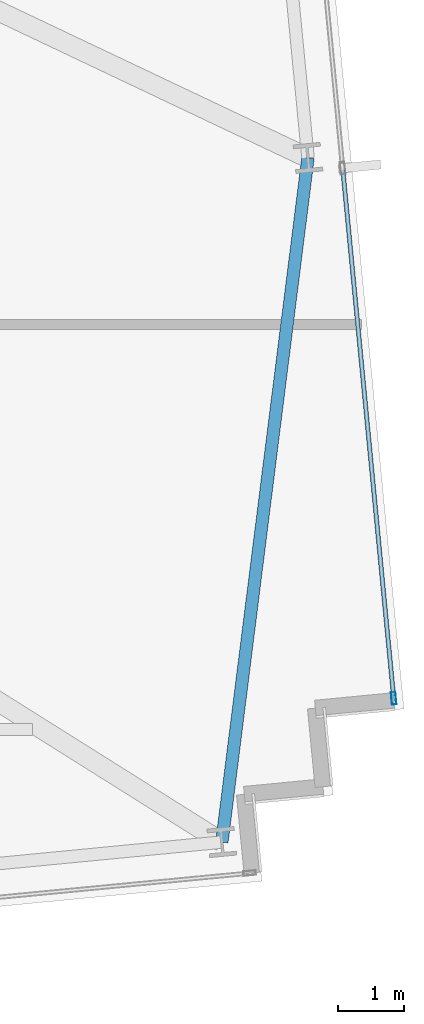
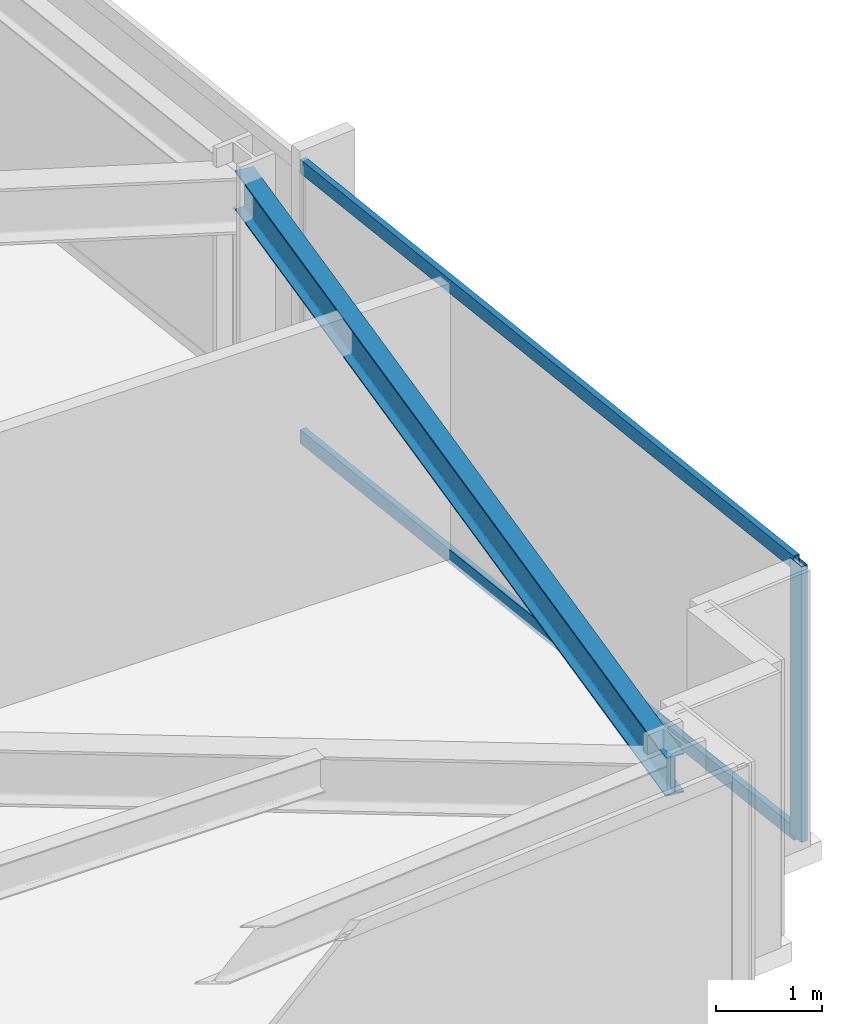
# One storey, part 14 of 32: 3 members, 1 beam, 1 element without a shape of its own.
"""IFC4 building model written with IfcOpenShell, lengths in metres."""

from ifc_helpers import new_model, si_unit, direction, frame, origin, origin_2d, place, context, subcontext, project, spatial, hollow_rectangle, i_section, extrude, material, material_profile, profile_set, type_object, element, aggregate, save


model = new_model("IFC4")

# Units and contexts
model_context = context("Model", 3, precision=1e-05, world=origin(), true_north=direction((0.0, 1.0)))
body_context = subcontext(model_context, "Body", "Model", "MODEL_VIEW")
ifc_project = project(units=[si_unit("LENGTHUNIT", "METRE"), si_unit("AREAUNIT", "SQUARE_METRE"), si_unit("VOLUMEUNIT", "CUBIC_METRE"), si_unit("PLANEANGLEUNIT", "RADIAN"), si_unit("MASSUNIT", "GRAM", prefix="KILO")], contexts=[model_context])

# Site, building, storey
site_placement = place(None, origin())
site = spatial("IfcSite", under=ifc_project, at=site_placement, CompositionType="ELEMENT")
building_placement = place(site_placement, origin())
building = spatial("IfcBuilding", under=site, at=building_placement, Name="Yelkora Congress Tower", CompositionType="ELEMENT")
storey_placement = place(building_placement, frame((0.0, 0.0, 96.5)))
storey = spatial("IfcBuildingStorey", under=building, at=storey_placement, Name="L25", CompositionType="ELEMENT", Elevation=96.5)

# Beam
ifc_material_1 = material(Name="Steel S355J2", Category="steel")
ifc_material_profile_1 = material_profile(ifc_material_1, i_section(OverallWidth=0.18994140625, OverallDepth=0.449951171875, WebThickness=0.009521484375, FlangeThickness=0.0146484375, FilletRadius=0.02099609375, at=origin_2d()), Name="IPE 450")
ifc_profile_set_1 = profile_set([ifc_material_profile_1], Name="Steel S355J2")
beam_type = type_object("IfcBeamType", Name="BM-SPAN-IPE450", PredefinedType="SPANDREL", material=ifc_profile_set_1)
beam_placement = place(storey_placement, frame((74.73193359375, 14.43505859375, 2.955078125), z_axis=(0.124929198684, 0.99216565921, 0.0), x_axis=(-0.99216565921, 0.124929198684, 0.0)))
element("IfcBeam", 1, at=beam_placement, inside=storey, type_object=beam_type, Name="L25 Perimeter Beam 10", PredefinedType="SPANDREL", context=body_context, shape_type="SweptSolid", body=[
    extrude(i_section(OverallWidth=0.18994140625, OverallDepth=0.449951171875, WebThickness=0.009521484375, FlangeThickness=0.0146484375, FilletRadius=0.02099609375, at=origin_2d()), origin(), (0.0, 0.0, 1.0), 10.48046875),
])

# Curtain wall, members
ifc_material_2 = material(Name="Anodised aluminium and insulated glass", Category="aluminium")
curtain_wall_type = type_object("IfcCurtainWallType", Name="CW-SYS-B2", PredefinedType="NOTDEFINED", material=ifc_material_2)
curtain_wall_placement = place(storey_placement, origin())
curtain_wall = element("IfcCurtainWall", 2, at=curtain_wall_placement, inside=storey, type_object=curtain_wall_type, Name="L25 Unitised Curtain Wall 15", PredefinedType="NOTDEFINED")
ifc_material_3 = material(Name="Anodised aluminium 6063-T6", Category="aluminium")
ifc_material_profile_2 = material_profile(ifc_material_3, hollow_rectangle(XDim=0.070068359375, YDim=0.18994140625, WallThickness=0.00390625, at=origin_2d()), Name="ALU 70x190x4")
ifc_profile_set_2 = profile_set([ifc_material_profile_2], Name="Anodised aluminium 6063-T6")
member_type_1 = type_object("IfcMemberType", Name="MEM-ML-B2", PredefinedType="MULLION", material=ifc_profile_set_2)
member_1_placement = place(storey_placement, frame((77.34423828125, 16.62060546875, 0.0), z_axis=(0.0, 0.0, 1.0), x_axis=(0.995396507508, 0.095842541913, 0.0)))
member_1 = element("IfcMember", 3, at=member_1_placement, type_object=member_type_1, Name="CW-B2 mullion 5", PredefinedType="MULLION", context=body_context, shape_type="SweptSolid", body=[
    extrude(hollow_rectangle(XDim=0.070068359375, YDim=0.18994140625, WallThickness=0.00390625, at=origin_2d()), origin(), (0.0, 0.0, 1.0), 3.179931640625),
])
ifc_material_profile_3 = material_profile(ifc_material_3, hollow_rectangle(XDim=0.06494140625, YDim=0.159912109375, WallThickness=0.00390625, at=origin_2d()), Name="ALU 65x160x4")
ifc_profile_set_3 = profile_set([ifc_material_profile_3], Name="Anodised aluminium 6063-T6")
member_type_2 = type_object("IfcMemberType", Name="MEM-TR-B2", PredefinedType="USERDEFINED", material=ifc_profile_set_3)
member_2_placement = place(storey_placement, frame((76.57177734375, 24.6435546875, 0.032470703125), z_axis=(0.095858482834, -0.995394972495, 0.0), x_axis=(0.995394972495, 0.095858482834, 0.0)))
member_2 = element("IfcMember", 4, at=member_2_placement, type_object=member_type_2, Name="CW-B2 transom 4.1", ObjectType="TRANSOM", PredefinedType="USERDEFINED", context=body_context, shape_type="SweptSolid", body=[
    extrude(hollow_rectangle(XDim=0.06494140625, YDim=0.159912109375, WallThickness=0.00390625, at=origin_2d()), origin(), (0.0, 0.0, 1.0), 8.025146484375),
])
member_3_placement = place(storey_placement, frame((76.57177734375, 24.6435546875, 3.1474609375), z_axis=(0.095858482834, -0.995394972495, 0.0), x_axis=(0.995394972495, 0.095858482834, 0.0)))
member_3 = element("IfcMember", 5, at=member_3_placement, type_object=member_type_2, Name="CW-B2 transom 4.2", ObjectType="TRANSOM", PredefinedType="USERDEFINED", context=body_context, shape_type="SweptSolid", body=[
    extrude(hollow_rectangle(XDim=0.06494140625, YDim=0.159912109375, WallThickness=0.00390625, at=origin_2d()), origin(), (0.0, 0.0, 1.0), 8.025146484375),
])
aggregate(curtain_wall, [member_1, member_2, member_3])

save(model, "model.ifc")
